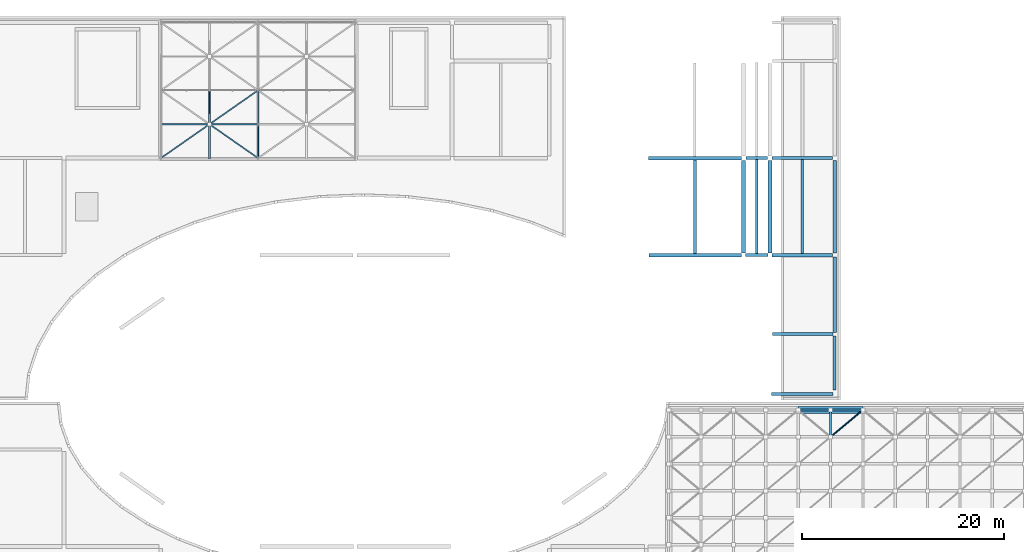
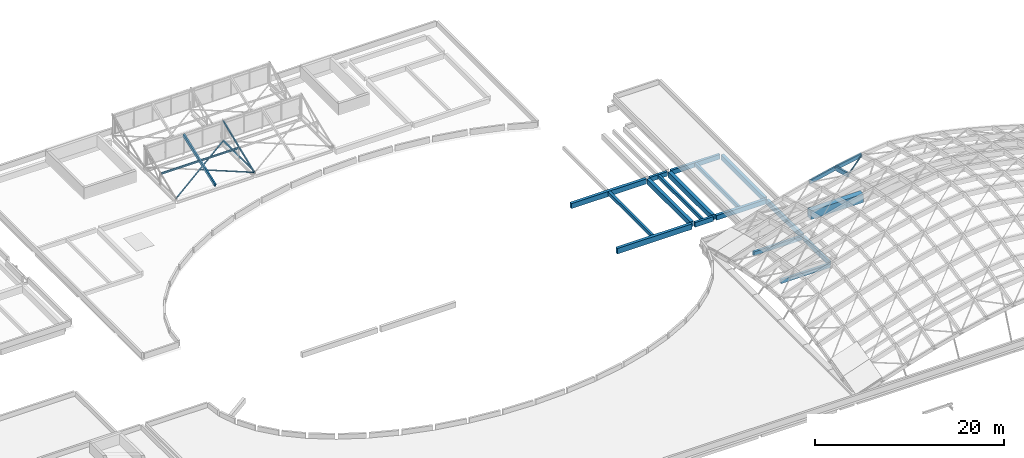
# One storey, part 14 of 40: 18 beams, 9 members.
"""IFC4 building model written with IfcOpenShell, lengths in metres."""

from ifc_helpers import new_model, si_unit, direction, frame, origin, origin_2d, place, context, subcontext, project, spatial, rectangle, hollow_rectangle, hollow_circle, i_section, extrude, material, material_profile, profile_set, type_object, element, save


model = new_model("IFC4")

# Units and contexts
model_context = context("Model", 3, precision=1e-05, world=origin(), true_north=direction((0.0, 1.0)))
body_context = subcontext(model_context, "Body", "Model", "MODEL_VIEW")
ifc_project = project(units=[si_unit("LENGTHUNIT", "METRE"), si_unit("AREAUNIT", "SQUARE_METRE"), si_unit("VOLUMEUNIT", "CUBIC_METRE"), si_unit("PLANEANGLEUNIT", "RADIAN"), si_unit("MASSUNIT", "GRAM", prefix="KILO")], contexts=[model_context])

# Site, building, storey
site_placement = place(None, origin())
site = spatial("IfcSite", under=ifc_project, at=site_placement, CompositionType="ELEMENT")
building_placement = place(site_placement, origin())
building = spatial("IfcBuilding", under=site, at=building_placement, Name="Mzevani Central Library", CompositionType="ELEMENT")
storey_placement = place(building_placement, frame((0.0, 0.0, 26.699951171875)))
storey = spatial("IfcBuildingStorey", under=building, at=storey_placement, Name="RF", CompositionType="ELEMENT", Elevation=26.699951171875)

# Member
ifc_material_1 = material(Name="Glulam GL28h", Category="wood")
ifc_material_profile_1 = material_profile(ifc_material_1, rectangle(XDim=0.179931640625, YDim=0.419921875, at=origin_2d()), Name="GL28h 180x420")
ifc_profile_set_1 = profile_set([ifc_material_profile_1], Name="Glulam GL28h")
member_type_1 = type_object("IfcMemberType", Name="Atrium Skylight Rafter GL28h 180x420", PredefinedType="RAFTER", material=ifc_profile_set_1)
member_1_placement = place(storey_placement, frame((68.800048828125, 100.0, -4.099853515625), z_axis=(0.0, 0.938271881965, 0.345898649194), x_axis=(-1.0, 0.0, 0.0)))
element("IfcMember", 1, at=member_1_placement, inside=storey, type_object=member_type_1, Name="RF Sawtooth Skylight Rafter 1.64", PredefinedType="RAFTER", context=body_context, shape_type="SweptSolid", body=[
    extrude(rectangle(XDim=0.179931640625, YDim=0.419921875, at=origin_2d()), origin(), (0.0, 0.0, 1.0), 7.140625),
])

# Beams
ifc_material_2 = material(Name="Concrete C35/45", Category="concrete")
ifc_material_profile_2 = material_profile(ifc_material_2, rectangle(XDim=0.300048828125, YDim=0.5, at=origin_2d()), Name="RC B300x500")
ifc_profile_set_2 = profile_set([ifc_material_profile_2], Name="Concrete C35/45")
beam_type_1 = type_object("IfcBeamType", Name="Beam RC 300x500", PredefinedType="BEAM", material=ifc_profile_set_2)
beam_1_placement = place(storey_placement, frame((124.375, 76.699951171875, -21.81005859375), z_axis=(1.0, 0.0, 0.0), x_axis=(0.0, 1.0, 0.0)))
element("IfcBeam", 2, at=beam_1_placement, inside=storey, type_object=beam_type_1, Name="RF V3 Girder B-01 (448)", PredefinedType="BEAM", context=body_context, shape_type="SweptSolid", body=[
    extrude(rectangle(XDim=0.300048828125, YDim=0.5, at=origin_2d()), origin(), (0.0, 0.0, 1.0), 6.050048828125),
])
beam_2_placement = place(storey_placement, frame((124.449951171875, 82.60009765625, -21.81005859375), z_axis=(1.0, 0.0, 0.0), x_axis=(0.0, 1.0, 0.0)))
element("IfcBeam", 3, at=beam_2_placement, inside=storey, type_object=beam_type_1, Name="RF V3 Girder B-01 (452)", PredefinedType="BEAM", context=body_context, shape_type="SweptSolid", body=[
    extrude(rectangle(XDim=0.300048828125, YDim=0.5, at=origin_2d()), origin(), (0.0, 0.0, 1.0), 5.97509765625),
])
ifc_material_profile_3 = material_profile(ifc_material_2, rectangle(XDim=0.300048828125, YDim=0.550048828125, at=origin_2d()), Name="RC B300x550")
ifc_profile_set_3 = profile_set([ifc_material_profile_3], Name="Concrete C35/45")
beam_type_2 = type_object("IfcBeamType", Name="Beam RC 300x550", PredefinedType="BEAM", material=ifc_profile_set_3)
beam_3_placement = place(storey_placement, frame((121.824951171875, 100.0, -21.8349609375), z_axis=(1.0, 0.0, 0.0), x_axis=(0.0, 1.0, 0.0)))
element("IfcBeam", 4, at=beam_3_placement, inside=storey, type_object=beam_type_2, Name="RF V3 Girder B-02 (473)", PredefinedType="BEAM", context=body_context, shape_type="SweptSolid", body=[
    extrude(rectangle(XDim=0.300048828125, YDim=0.550048828125, at=origin_2d()), origin(), (0.0, 0.0, 1.0), 2.150146484375),
])
ifc_material_profile_4 = material_profile(ifc_material_2, rectangle(XDim=0.300048828125, YDim=0.60009765625, at=origin_2d()), Name="RC B300x600")
ifc_profile_set_4 = profile_set([ifc_material_profile_4], Name="Concrete C35/45")
beam_type_3 = type_object("IfcBeamType", Name="Beam RC 300x600", PredefinedType="BEAM", material=ifc_profile_set_4)
beam_4_placement = place(storey_placement, frame((121.800048828125, 90.39990234375, -21.85986328125), z_axis=(1.0, 0.0, 0.0), x_axis=(0.0, 1.0, 0.0)))
element("IfcBeam", 5, at=beam_4_placement, inside=storey, type_object=beam_type_3, Name="RF V3 Girder B-03 (462)", PredefinedType="BEAM", context=body_context, shape_type="SweptSolid", body=[
    extrude(rectangle(XDim=0.300048828125, YDim=0.60009765625, at=origin_2d()), origin(), (0.0, 0.0, 1.0), 2.199951171875),
])
beam_5_placement = place(storey_placement, frame((124.425048828125, 100.0, -21.85986328125), z_axis=(1.0, 0.0, 0.0), x_axis=(0.0, 1.0, 0.0)))
element("IfcBeam", 6, at=beam_5_placement, inside=storey, type_object=beam_type_3, Name="RF V3 Girder B-03 (474)", PredefinedType="BEAM", context=body_context, shape_type="SweptSolid", body=[
    extrude(rectangle(XDim=0.300048828125, YDim=0.60009765625, at=origin_2d()), origin(), (0.0, 0.0, 1.0), 5.949951171875),
])
beam_6_placement = place(storey_placement, frame((130.60009765625, 77.050048828125, -21.85986328125), z_axis=(0.0, 1.0, 0.0), x_axis=(-1.0, 0.0, 0.0)))
element("IfcBeam", 7, at=beam_6_placement, inside=storey, type_object=beam_type_3, Name="RF V3 Frame Beam B-03 (534)", PredefinedType="BEAM", context=body_context, shape_type="SweptSolid", body=[
    extrude(rectangle(XDim=0.300048828125, YDim=0.60009765625, at=origin_2d()), origin(), (0.0, 0.0, 1.0), 5.375),
])
ifc_material_profile_5 = material_profile(ifc_material_2, rectangle(XDim=0.35009765625, YDim=0.60009765625, at=origin_2d()), Name="RC B350x600")
ifc_profile_set_5 = profile_set([ifc_material_profile_5], Name="Concrete C35/45")
beam_type_4 = type_object("IfcBeamType", Name="Beam RC 350x600", PredefinedType="BEAM", material=ifc_profile_set_5)
beam_7_placement = place(storey_placement, frame((124.39990234375, 90.39990234375, -21.85986328125), z_axis=(1.0, 0.0, 0.0), x_axis=(0.0, 1.0, 0.0)))
element("IfcBeam", 8, at=beam_7_placement, inside=storey, type_object=beam_type_4, Name="RF V3 Girder B-04 (463)", PredefinedType="BEAM", context=body_context, shape_type="SweptSolid", body=[
    extrude(rectangle(XDim=0.35009765625, YDim=0.60009765625, at=origin_2d()), origin(), (0.0, 0.0, 1.0), 6.0),
])
beam_8_placement = place(storey_placement, frame((130.60009765625, 82.77490234375, -21.85986328125), z_axis=(0.0, 1.0, 0.0), x_axis=(-1.0, 0.0, 0.0)))
element("IfcBeam", 9, at=beam_8_placement, inside=storey, type_object=beam_type_4, Name="RF V3 Frame Beam B-04 (535)", PredefinedType="BEAM", context=body_context, shape_type="SweptSolid", body=[
    extrude(rectangle(XDim=0.35009765625, YDim=0.60009765625, at=origin_2d()), origin(), (0.0, 0.0, 1.0), 7.425048828125),
])
ifc_material_profile_6 = material_profile(ifc_material_2, rectangle(XDim=0.35009765625, YDim=0.64990234375, at=origin_2d()), Name="RC B350x650")
ifc_profile_set_6 = profile_set([ifc_material_profile_6], Name="Concrete C35/45")
beam_type_5 = type_object("IfcBeamType", Name="Beam RC 350x650", PredefinedType="BEAM", material=ifc_profile_set_6)
beam_9_placement = place(storey_placement, frame((112.199951171875, 100.0, -21.885009765625), z_axis=(1.0, 0.0, 0.0), x_axis=(0.0, 1.0, 0.0)))
element("IfcBeam", 10, at=beam_9_placement, inside=storey, type_object=beam_type_5, Name="RF V3 Girder B-05 (472)", PredefinedType="BEAM", context=body_context, shape_type="SweptSolid", body=[
    extrude(rectangle(XDim=0.35009765625, YDim=0.64990234375, at=origin_2d()), origin(), (0.0, 0.0, 1.0), 9.175048828125),
])
beam_10_placement = place(storey_placement, frame((130.60009765625, 90.60009765625, -21.885009765625), z_axis=(0.0, 1.0, 0.0), x_axis=(-1.0, 0.0, 0.0)))
element("IfcBeam", 11, at=beam_10_placement, inside=storey, type_object=beam_type_5, Name="RF V3 Frame Beam B-05 (536)", PredefinedType="BEAM", context=body_context, shape_type="SweptSolid", body=[
    extrude(rectangle(XDim=0.35009765625, YDim=0.64990234375, at=origin_2d()), origin(), (0.0, 0.0, 1.0), 9.1748046875),
])
ifc_material_profile_7 = material_profile(ifc_material_2, rectangle(XDim=0.35009765625, YDim=0.699951171875, at=origin_2d()), Name="RC B350x700")
ifc_profile_set_7 = profile_set([ifc_material_profile_7], Name="Concrete C35/45")
beam_type_6 = type_object("IfcBeamType", Name="Beam RC 350x700", PredefinedType="BEAM", material=ifc_profile_set_7)
beam_11_placement = place(storey_placement, frame((112.27490234375, 90.39990234375, -21.909912109375), z_axis=(1.0, 0.0, 0.0), x_axis=(0.0, 1.0, 0.0)))
element("IfcBeam", 12, at=beam_11_placement, inside=storey, type_object=beam_type_6, Name="RF V3 Girder B-06 (461)", PredefinedType="BEAM", context=body_context, shape_type="SweptSolid", body=[
    extrude(rectangle(XDim=0.35009765625, YDim=0.699951171875, at=origin_2d()), origin(), (0.0, 0.0, 1.0), 9.125),
])
ifc_material_profile_8 = material_profile(ifc_material_2, rectangle(XDim=0.39990234375, YDim=0.64990234375, at=origin_2d()), Name="RC B400x650")
ifc_profile_set_8 = profile_set([ifc_material_profile_8], Name="Concrete C35/45")
beam_type_7 = type_object("IfcBeamType", Name="Beam RC 400x650", PredefinedType="BEAM", material=ifc_profile_set_8)
beam_12_placement = place(storey_placement, frame((121.60009765625, 90.60009765625, -21.885009765625), z_axis=(0.0, 1.0, 0.0), x_axis=(-1.0, 0.0, 0.0)))
element("IfcBeam", 13, at=beam_12_placement, inside=storey, type_object=beam_type_7, Name="RF V3 Frame Beam B-07 (526)", PredefinedType="BEAM", context=body_context, shape_type="SweptSolid", body=[
    extrude(rectangle(XDim=0.39990234375, YDim=0.64990234375, at=origin_2d()), origin(), (0.0, 0.0, 1.0), 9.1748046875),
])
ifc_material_profile_9 = material_profile(ifc_material_2, rectangle(XDim=0.39990234375, YDim=0.699951171875, at=origin_2d()), Name="RC B400x700")
ifc_profile_set_9 = profile_set([ifc_material_profile_9], Name="Concrete C35/45")
beam_type_8 = type_object("IfcBeamType", Name="Beam RC 400x700", PredefinedType="BEAM", material=ifc_profile_set_9)
beam_13_placement = place(storey_placement, frame((124.199951171875, 90.60009765625, -21.909912109375), z_axis=(0.0, 1.0, 0.0), x_axis=(-1.0, 0.0, 0.0)))
element("IfcBeam", 14, at=beam_13_placement, inside=storey, type_object=beam_type_8, Name="RF V3 Frame Beam B-08 (531)", PredefinedType="BEAM", context=body_context, shape_type="SweptSolid", body=[
    extrude(rectangle(XDim=0.39990234375, YDim=0.699951171875, at=origin_2d()), origin(), (0.0, 0.0, 1.0), 9.1748046875),
])
ifc_material_profile_10 = material_profile(ifc_material_2, rectangle(XDim=0.25, YDim=0.449951171875, at=origin_2d()), Name="RC J250x450")
ifc_profile_set_10 = profile_set([ifc_material_profile_10], Name="Concrete C35/45")
beam_type_9 = type_object("IfcBeamType", Name="Floor Joist RC 250x450", PredefinedType="JOIST", material=ifc_profile_set_10)
beam_14_placement = place(storey_placement, frame((122.89990234375, 90.550048828125, -21.784912109375), z_axis=(0.0, 1.0, 0.0), x_axis=(-1.0, 0.0, 0.0)))
element("IfcBeam", 15, at=beam_14_placement, inside=storey, type_object=beam_type_9, Name="RF V3 Floor Joist BJ-01 (543)", PredefinedType="JOIST", context=body_context, shape_type="SweptSolid", body=[
    extrude(rectangle(XDim=0.25, YDim=0.449951171875, at=origin_2d()), origin(), (0.0, 0.0, 1.0), 9.300048828125),
])
ifc_material_profile_11 = material_profile(ifc_material_2, rectangle(XDim=0.25, YDim=0.5, at=origin_2d()), Name="RC J250x500")
ifc_profile_set_11 = profile_set([ifc_material_profile_11], Name="Concrete C35/45")
beam_type_10 = type_object("IfcBeamType", Name="Floor Joist RC 250x500", PredefinedType="JOIST", material=ifc_profile_set_11)
beam_15_placement = place(storey_placement, frame((127.39990234375, 90.574951171875, -21.81005859375), z_axis=(0.0, 1.0, 0.0), x_axis=(-1.0, 0.0, 0.0)))
element("IfcBeam", 16, at=beam_15_placement, inside=storey, type_object=beam_type_10, Name="RF V3 Floor Joist BJ-02 (544)", PredefinedType="JOIST", context=body_context, shape_type="SweptSolid", body=[
    extrude(rectangle(XDim=0.25, YDim=0.5, at=origin_2d()), origin(), (0.0, 0.0, 1.0), 9.275146484375),
])
ifc_material_profile_12 = material_profile(ifc_material_2, rectangle(XDim=0.300048828125, YDim=0.449951171875, at=origin_2d()), Name="RC J300x450")
ifc_profile_set_12 = profile_set([ifc_material_profile_12], Name="Concrete C35/45")
beam_type_11 = type_object("IfcBeamType", Name="Floor Joist RC 300x450", PredefinedType="JOIST", material=ifc_profile_set_12)
beam_16_placement = place(storey_placement, frame((116.824951171875, 90.574951171875, -21.784912109375), z_axis=(0.0, 1.0, 0.0), x_axis=(-1.0, 0.0, 0.0)))
element("IfcBeam", 17, at=beam_16_placement, inside=storey, type_object=beam_type_11, Name="RF V3 Floor Joist BJ-03 (542)", PredefinedType="JOIST", context=body_context, shape_type="SweptSolid", body=[
    extrude(rectangle(XDim=0.300048828125, YDim=0.449951171875, at=origin_2d()), origin(), (0.0, 0.0, 1.0), 9.25),
])

# Members
ifc_material_profile_13 = material_profile(ifc_material_1, rectangle(XDim=0.199951171875, YDim=0.47998046875, at=origin_2d()), Name="GL28h 200x480")
ifc_profile_set_13 = profile_set([ifc_material_profile_13], Name="Glulam GL28h")
member_type_2 = type_object("IfcMemberType", Name="Gridshell Edge Rib GL28h 200x480", PredefinedType="RAFTER", material=ifc_profile_set_13)
member_2_placement = place(storey_placement, frame((127.0, 75.10009765625, -8.959228515625), z_axis=(0.975034107954, 0.0, 0.222055147039), x_axis=(0.0, 1.0, 0.0)))
element("IfcMember", 18, at=member_2_placement, inside=storey, type_object=member_type_2, Name="RF Gridshell Glulam Arch Rib X13.5", PredefinedType="RAFTER", context=body_context, shape_type="SweptSolid", body=[
    extrude(rectangle(XDim=0.199951171875, YDim=0.47998046875, at=origin_2d()), origin(), (0.0, 0.0, 1.0), 3.281982421875),
])
member_3_placement = place(storey_placement, frame((130.199951171875, 75.10009765625, -8.23046875), z_axis=(0.984121212692, 0.0, 0.177497714718), x_axis=(0.0, 1.0, 0.0)))
element("IfcMember", 19, at=member_3_placement, inside=storey, type_object=member_type_2, Name="RF Gridshell Glulam Arch Rib X13.6", PredefinedType="RAFTER", context=body_context, shape_type="SweptSolid", body=[
    extrude(rectangle(XDim=0.199951171875, YDim=0.47998046875, at=origin_2d()), origin(), (0.0, 0.0, 1.0), 3.25146484375),
])

# Beam
ifc_material_3 = material(Name="Concrete C40/50", Category="concrete")
ifc_material_profile_14 = material_profile(ifc_material_3, rectangle(XDim=0.699951171875, YDim=1.10009765625, at=origin_2d()), Name="RC RB700x1100")
ifc_profile_set_14 = profile_set([ifc_material_profile_14], Name="Concrete C40/50")
beam_type_12 = type_object("IfcBeamType", Name="Gridshell Ring Beam RC 700x1100", PredefinedType="BEAM", material=ifc_profile_set_14)
beam_17_placement = place(storey_placement, frame((127.0, 75.10009765625, -13.050048828125), z_axis=(1.0, 0.0, 0.0), x_axis=(0.0, 1.0, 0.0)))
element("IfcBeam", 20, at=beam_17_placement, inside=storey, type_object=beam_type_12, Name="RF Gridshell Ring Beam North Bay 3", PredefinedType="BEAM", context=body_context, shape_type="SweptSolid", body=[
    extrude(rectangle(XDim=0.699951171875, YDim=1.10009765625, at=origin_2d()), origin(), (0.0, 0.0, 1.0), 6.39990234375),
])

# Members
ifc_material_4 = material(Name="Steel S355J2", Category="steel")
ifc_material_profile_15 = material_profile(ifc_material_4, hollow_circle(Radius=0.084228515625, WallThickness=0.010009765625, at=origin_2d()), Name="CHS 168.3x10.0")
ifc_profile_set_15 = profile_set([ifc_material_profile_15], Name="Steel S355J2")
member_type_3 = type_object("IfcMemberType", Name="Gridshell Springing Brace CHS 168.3", PredefinedType="BRACE", material=ifc_profile_set_15)
member_4_placement = place(storey_placement, frame((130.199951171875, 72.433349609375, -7.51708984375), z_axis=(0.767597472155, 0.639693842096, -0.039823474561), x_axis=(-0.640201694382, 0.768206867003, 0.0)))
element("IfcMember", 21, at=member_4_placement, inside=storey, type_object=member_type_3, Name="RF Gridshell Steel Diagonal 6.12", PredefinedType="BRACE", context=body_context, shape_type="SweptSolid", body=[
    extrude(hollow_circle(Radius=0.084228515625, WallThickness=0.010009765625, at=origin_2d()), origin(), (0.0, 0.0, 1.0), 4.168701171875),
])
ifc_material_profile_16 = material_profile(ifc_material_1, rectangle(XDim=0.219970703125, YDim=0.52001953125, at=origin_2d()), Name="GL28h 220x520")
ifc_profile_set_16 = profile_set([ifc_material_profile_16], Name="Glulam GL28h")
member_type_4 = type_object("IfcMemberType", Name="Gridshell Transverse Rib GL28h 220x520", PredefinedType="RAFTER", material=ifc_profile_set_16)
member_5_placement = place(storey_placement, frame((130.199951171875, 72.433349609375, -7.507080078125), z_axis=(0.0, 0.963271132564, -0.268530678262), x_axis=(-1.0, 0.0, 0.0)))
element("IfcMember", 22, at=member_5_placement, inside=storey, type_object=member_type_4, Name="RF Gridshell Glulam Transverse Rib Y6.12", PredefinedType="RAFTER", context=body_context, shape_type="SweptSolid", body=[
    extrude(rectangle(XDim=0.219970703125, YDim=0.52001953125, at=origin_2d()), origin(), (0.0, 0.0, 1.0), 2.768310546875),
])
ifc_material_profile_17 = material_profile(ifc_material_4, hollow_rectangle(XDim=0.1201171875, YDim=0.1201171875, WallThickness=0.008056640625, at=origin_2d()), Name="SHS 120x120x8.0")
ifc_profile_set_17 = profile_set([ifc_material_profile_17], Name="Steel S355J2")
member_type_5 = type_object("IfcMemberType", Name="Roof Plan Brace SHS 120x120", PredefinedType="BRACE", material=ifc_profile_set_17)
member_6_placement = place(storey_placement, frame((64.0, 100.0, -4.099853515625), z_axis=(0.820038413618, 0.572308483417, 0.0), x_axis=(-0.572308483417, 0.820038413618, 0.0)))
element("IfcMember", 23, at=member_6_placement, inside=storey, type_object=member_type_5, Name="RF Sawtooth Plan X-Brace Continuous 1.64", PredefinedType="BRACE", context=body_context, shape_type="SweptSolid", body=[
    extrude(hollow_rectangle(XDim=0.1201171875, YDim=0.1201171875, WallThickness=0.008056640625, at=origin_2d()), origin(), (0.0, 0.0, 1.0), 11.706787109375),
])
member_7_placement = place(storey_placement, frame((73.60009765625, 100.0, -4.099853515625), z_axis=(-0.820028626313, 0.572322507007, 0.0), x_axis=(-0.572322507007, -0.820028626313, 0.0)))
element("IfcMember", 24, at=member_7_placement, inside=storey, type_object=member_type_5, Name="RF Sawtooth Plan X-Brace Split 1 1.64", PredefinedType="BRACE", context=body_context, shape_type="SweptSolid", body=[
    extrude(hollow_rectangle(XDim=0.1201171875, YDim=0.1201171875, WallThickness=0.008056640625, at=origin_2d()), origin(), (0.0, 0.0, 1.0), 5.853515625),
])

# Beam
ifc_material_profile_18 = material_profile(ifc_material_4, i_section(OverallWidth=0.1201171875, OverallDepth=0.239990234375, WebThickness=0.006103515625, FlangeThickness=0.009765625, FilletRadius=0.014892578125, at=origin_2d()), Name="IPE 240")
ifc_profile_set_18 = profile_set([ifc_material_profile_18], Name="Steel S355J2")
beam_type_13 = type_object("IfcBeamType", Name="Roof Purlin Steel IPE 240", PredefinedType="JOIST", material=ifc_profile_set_18)
beam_18_placement = place(storey_placement, frame((64.070068359375, 103.35009765625, -2.949951171875), z_axis=(1.0, 0.0, 0.0), x_axis=(0.0, 1.0, 0.0)))
element("IfcBeam", 25, at=beam_18_placement, inside=storey, type_object=beam_type_13, Name="RF Sawtooth Mid Purlin 1.64", PredefinedType="JOIST", context=body_context, shape_type="SweptSolid", body=[
    extrude(i_section(OverallWidth=0.1201171875, OverallDepth=0.239990234375, WebThickness=0.006103515625, FlangeThickness=0.009765625, FilletRadius=0.014892578125, at=origin_2d()), origin(), (0.0, 0.0, 1.0), 9.4599609375),
])

# Members
ifc_material_profile_19 = material_profile(ifc_material_4, hollow_rectangle(XDim=0.10009765625, YDim=0.199951171875, WallThickness=0.010009765625, at=origin_2d()), Name="RHS 200x100x10.0")
ifc_profile_set_19 = profile_set([ifc_material_profile_19], Name="Steel S355J2")
member_type_6 = type_object("IfcMemberType", Name="Sawtooth Truss Chord RHS 200x100", PredefinedType="CHORD", material=ifc_profile_set_19)
member_8_placement = place(storey_placement, frame((73.60009765625, 100.0, -4.02001953125), z_axis=(0.0, 1.0, 0.0), x_axis=(-1.0, 0.0, 0.0)))
element("IfcMember", 26, at=member_8_placement, inside=storey, type_object=member_type_6, Name="RF Sawtooth Bottom Chord 1.2", PredefinedType="CHORD", context=body_context, shape_type="SweptSolid", body=[
    extrude(hollow_rectangle(XDim=0.10009765625, YDim=0.199951171875, WallThickness=0.010009765625, at=origin_2d()), origin(), (0.0, 0.0, 1.0), 6.699951171875),
])
ifc_material_profile_20 = material_profile(ifc_material_4, hollow_rectangle(XDim=0.1201171875, YDim=0.219970703125, WallThickness=0.010009765625, at=origin_2d()), Name="RHS 220x120x10.0")
ifc_profile_set_20 = profile_set([ifc_material_profile_20], Name="Steel S355J2")
member_type_7 = type_object("IfcMemberType", Name="Sawtooth Truss Chord RHS 220x120", PredefinedType="CHORD", material=ifc_profile_set_20)
member_9_placement = place(storey_placement, frame((73.60009765625, 100.0, -4.169921875), z_axis=(0.0, 0.927520293405, 0.373772799066), x_axis=(-1.0, 0.0, 0.0)))
element("IfcMember", 27, at=member_9_placement, inside=storey, type_object=member_type_7, Name="RF Sawtooth Top Rafter 1.2", PredefinedType="CHORD", context=body_context, shape_type="SweptSolid", body=[
    extrude(hollow_rectangle(XDim=0.1201171875, YDim=0.219970703125, WallThickness=0.010009765625, at=origin_2d()), origin(), (0.0, 0.0, 1.0), 7.223388671875),
])

save(model, "model.ifc")
